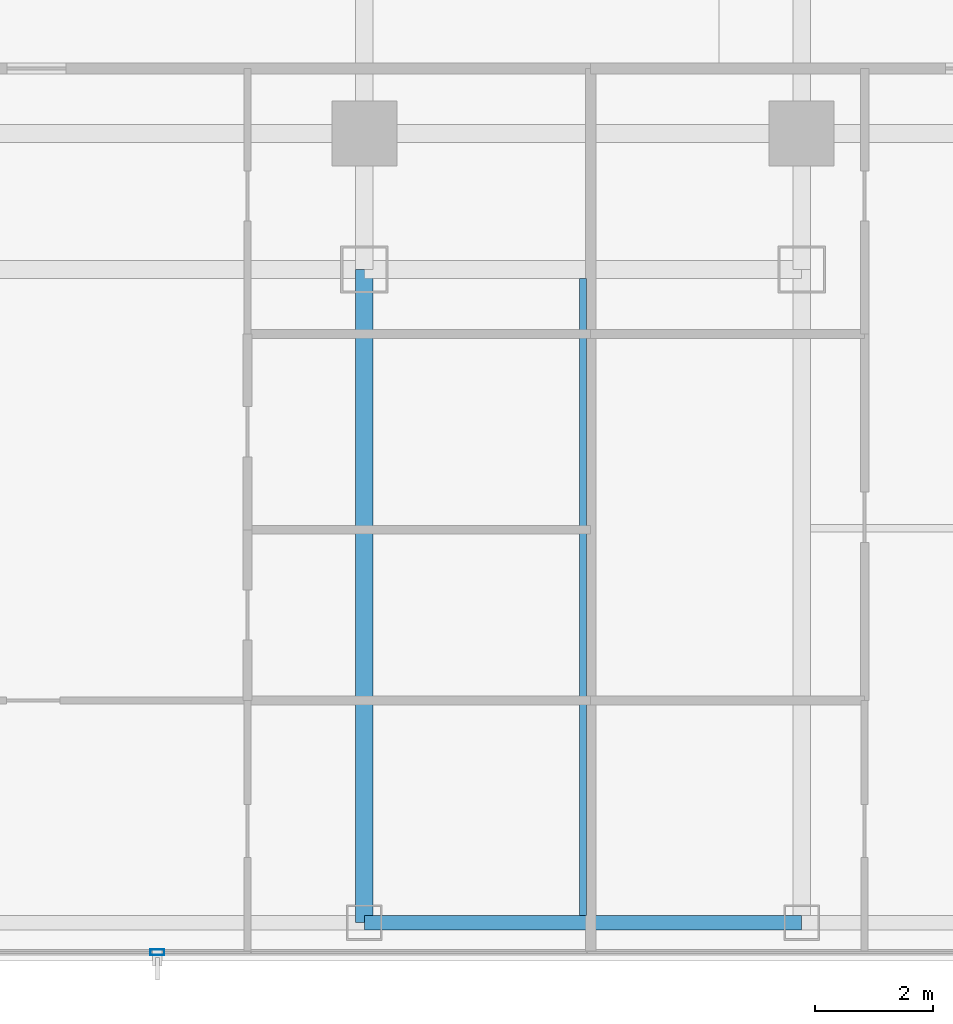
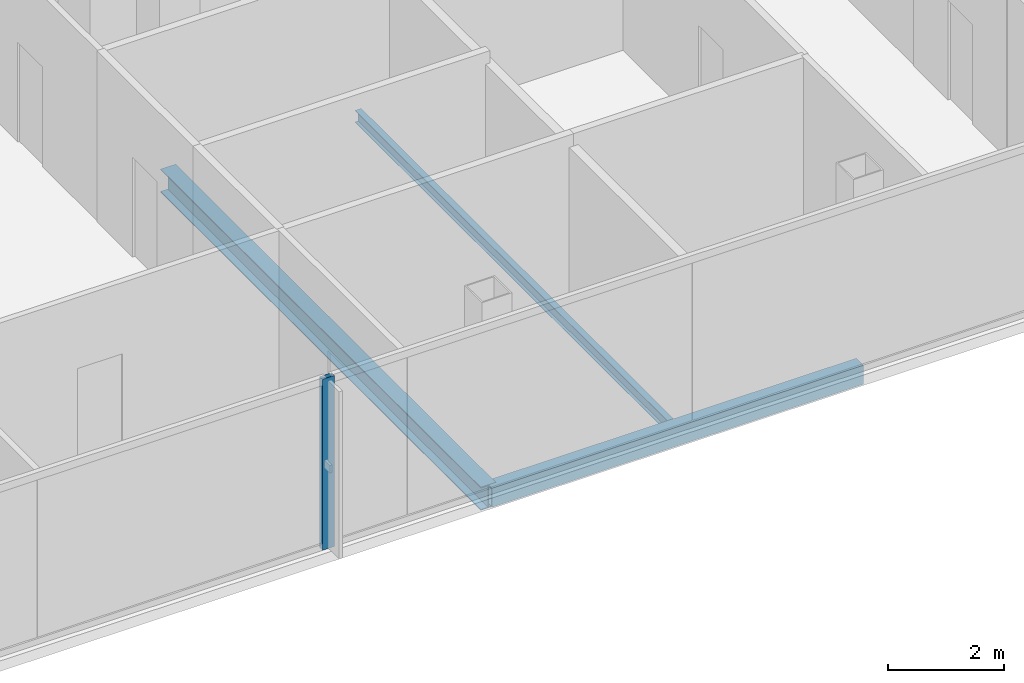
# One storey, part 4 of 27: 3 beams, 1 member, 1 element without a shape of its own.
"""IFC4 building model written with IfcOpenShell, lengths in metres."""

import ifcopenshell
import ifcopenshell.guid

model = None  # the IFC model being written
_history = None  # IfcOwnerHistory: only IFC2X3 demands one
_inside = {}  # id of a spatial element -> (the spatial element, [elements in it])
_under = {}  # id of a project, library or spatial element -> (it, [spatial elements below it])
_declared = {}  # id of a project -> (the project, [libraries it declares])
_typed = {}  # id of a type object -> (the type object, [elements of that type])
_made_of = {}  # id of a material, layer set ... -> (it, [elements and type objects made of it])


def new_model(schema):
    """Start an empty IFC model of exactly this schema.

    Asked for "IFC4X3", IfcOpenShell would pick the latest addendum, in which some entities
    have other attributes; the version numbers below select the first issue.
    IFC2X3 requires an IfcOwnerHistory on every rooted entity: one is made here for all.
    """
    global model, _history
    if schema == "IFC4X3":
        model = ifcopenshell.file(schema_version=(4, 3, 0, 0))
    else:
        model = ifcopenshell.file(schema=schema)
    _inside.clear()
    _under.clear()
    _declared.clear()
    _typed.clear()
    _made_of.clear()
    _history = None
    if model.schema == "IFC2X3":
        org = make("IfcOrganization", Name="unknown")
        user = make(
            "IfcPersonAndOrganization",
            ThePerson=make("IfcPerson", FamilyName="unknown"),
            TheOrganization=org,
        )
        app = make(
            "IfcApplication",
            ApplicationDeveloper=org,
            Version="unknown",
            ApplicationFullName="unknown",
            ApplicationIdentifier="unknown",
        )
        _history = make(
            "IfcOwnerHistory",
            OwningUser=user,
            OwningApplication=app,
            ChangeAction="ADDED",
            CreationDate=0,
        )
    return model


def make(cls, **values):
    """One entity of the class cls with the attributes given. An attribute that is None is left unset."""
    return model.create_entity(
        cls, **{name: value for name, value in values.items() if value is not None}
    )


def rooted(cls, **values):
    """An entity with a GlobalId (a new one), such as an element, a storey or a relation."""
    return make(cls, GlobalId=ifcopenshell.guid.new(), OwnerHistory=_history, **values)


def si_unit(unit_type, name, prefix=None):
    """IfcSIUnit, for example si_unit("LENGTHUNIT", "METRE", prefix="MILLI")."""
    return make("IfcSIUnit", UnitType=unit_type, Prefix=prefix, Name=name)


def assignment(units):
    """IfcUnitAssignment: the units of a project."""
    return None if units is None else make("IfcUnitAssignment", Units=units)


def point(xyz):
    """IfcCartesianPoint."""
    return None if xyz is None else make("IfcCartesianPoint", Coordinates=xyz)


def direction(xyz):
    """IfcDirection."""
    return None if xyz is None else make("IfcDirection", DirectionRatios=xyz)


def frame(location, z_axis=None, x_axis=None):
    """IfcAxis2Placement3D, a coordinate frame: its origin and axes. An axis left out is left unset."""
    return make(
        "IfcAxis2Placement3D",
        Location=point(location),
        Axis=direction(z_axis),
        RefDirection=direction(x_axis),
    )


def frame_2d(location, x_axis=None):
    """IfcAxis2Placement2D, a coordinate frame in the plane: its origin and x axis."""
    return make(
        "IfcAxis2Placement2D", Location=point(location), RefDirection=direction(x_axis)
    )


def origin():
    """The frame at (0, 0, 0) with its axes left unset."""
    return frame((0.0, 0.0, 0.0))


def origin_2d():
    """The frame at (0, 0) in the plane with its x axis left unset."""
    return frame_2d((0.0, 0.0))


def place(relative_to, where):
    """IfcLocalPlacement: puts the frame where relative to a parent placement (None: the world)."""
    return make(
        "IfcLocalPlacement", PlacementRelTo=relative_to, RelativePlacement=where
    )


def context(
    kind, dimensions, precision=None, world=None, true_north=None, identifier=None
):
    """IfcGeometricRepresentationContext, for example the 3D "Model" context."""
    return make(
        "IfcGeometricRepresentationContext",
        ContextIdentifier=identifier,
        ContextType=kind,
        CoordinateSpaceDimension=dimensions,
        Precision=precision,
        WorldCoordinateSystem=world,
        TrueNorth=true_north,
    )


def subcontext(parent, identifier, kind, view, scale=None):
    """IfcGeometricRepresentationSubContext, for example "Body" below "Model"."""
    return make(
        "IfcGeometricRepresentationSubContext",
        ContextIdentifier=identifier,
        ContextType=kind,
        ParentContext=parent,
        TargetScale=scale,
        TargetView=view,
    )


def project(units=None, contexts=None):
    """IfcProject with its units and contexts."""
    return rooted(
        "IfcProject",
        Name="project",
        RepresentationContexts=contexts,
        UnitsInContext=assignment(units),
    )


def spatial(cls, under=None, at=None, **own):
    """A site, building, storey or space (cls), placed at a placement, below another one or the project."""
    s = rooted(cls, ObjectPlacement=at, **own)
    if under is not None:
        _under.setdefault(under.id(), (under, []))[1].append(s)
    return s


def profile(cls, at=None, kind="AREA", **sizes):
    """A parametric profile (cls). Its sizes go by their IFC names, for example OverallWidth=200.0."""
    return make(cls, ProfileType=kind, Position=at, **sizes)


def hollow_rectangle(**sizes):
    """IfcRectangleHollowProfileDef."""
    return profile("IfcRectangleHollowProfileDef", **sizes)


def i_section(**sizes):
    """IfcIShapeProfileDef."""
    return profile("IfcIShapeProfileDef", **sizes)


def extrude(swept, where, along, depth):
    """IfcExtrudedAreaSolid: the profile swept, set in the frame where, extruded along a direction by depth."""
    return make(
        "IfcExtrudedAreaSolid",
        SweptArea=swept,
        Position=where,
        ExtrudedDirection=direction(along),
        Depth=depth,
    )


def shape(context_of_items, identifier, shape_type, items):
    """IfcShapeRepresentation: the items that make up one representation, for example the "Body"."""
    return make(
        "IfcShapeRepresentation",
        ContextOfItems=context_of_items,
        RepresentationIdentifier=identifier,
        RepresentationType=shape_type,
        Items=items,
    )


def material(Name=None, Category=None):
    """IfcMaterial."""
    return make("IfcMaterial", Name=Name, Category=Category)


def layer(
    of_material, thickness, ventilated=None, Name=None, Category=None, Priority=None
):
    """IfcMaterialLayer: one layer of a wall or slab, of a material (None: an air gap)."""
    return make(
        "IfcMaterialLayer",
        Material=of_material,
        LayerThickness=thickness,
        IsVentilated=ventilated,
        Name=Name,
        Category=Category,
        Priority=Priority,
    )


def layer_set(layers, Name=None):
    """IfcMaterialLayerSet."""
    return make("IfcMaterialLayerSet", MaterialLayers=layers, LayerSetName=Name)


def material_profile(
    of_material, cross_section, Name=None, Category=None, Priority=None
):
    """IfcMaterialProfile: a cross section and its material."""
    return make(
        "IfcMaterialProfile",
        Name=Name,
        Material=of_material,
        Profile=cross_section,
        Priority=Priority,
        Category=Category,
    )


def profile_set(profiles, Name=None, composite=None):
    """IfcMaterialProfileSet."""
    return make(
        "IfcMaterialProfileSet",
        Name=Name,
        MaterialProfiles=profiles,
        CompositeProfile=composite,
    )


def made_of(thing, what):
    """Note that an element or type object is made of a material, layer set ...; save() writes the relation."""
    if what is not None:
        _made_of.setdefault(what.id(), (what, []))[1].append(thing)
    return thing


def type_object(cls, material=None, **own):
    """A type object (cls), such as IfcWallType, which elements share."""
    return made_of(rooted(cls, **own), material)


def element(
    cls,
    number,
    at=None,
    inside=None,
    cuts=None,
    type_object=None,
    material=None,
    context=None,
    identifier="Body",
    shape_type=None,
    held_by="IfcProductDefinitionShape",
    body=None,
    shapes=None,
    **own,
):
    """One element of the class cls, such as IfcWall. Its Tag is "e" and its number.

    at: its placement. inside: the storey or other place that contains it. cuts: it is an
    opening in that element (IfcRelVoidsElement). A single representation is given by context,
    identifier, shape_type and body (its items); several are given by shapes. held_by: the class
    of the entity that holds the representations. save() writes the other relations.
    """
    e = rooted(cls, Tag="e%d" % number, ObjectPlacement=at, **own)
    if body is not None:
        shapes = [shape(context, identifier, shape_type, body)]
    if shapes is not None:
        e.Representation = make(held_by, Representations=shapes)
    if inside is not None:
        _inside.setdefault(inside.id(), (inside, []))[1].append(e)
    if cuts is not None:
        rooted(
            "IfcRelVoidsElement", RelatingBuildingElement=cuts, RelatedOpeningElement=e
        )
    if type_object is not None:
        _typed.setdefault(type_object.id(), (type_object, []))[1].append(e)
    return made_of(e, material)


def aggregate(whole, parts):
    """IfcRelAggregates: a whole, such as a stair, and the parts it consists of."""
    return rooted("IfcRelAggregates", RelatingObject=whole, RelatedObjects=parts)


def save(model, path):
    """Write the relations noted so far, then the file.

    IfcRelAggregates (storeys below a building ...), IfcRelContainedInSpatialStructure (elements
    in a storey), IfcRelDefinesByType, IfcRelAssociatesMaterial and IfcRelDeclares: one each for
    every whole, place, type object, material and project.
    """
    for whole, parts in _under.values():
        aggregate(whole, parts)
    for where, things in _inside.values():
        rooted(
            "IfcRelContainedInSpatialStructure",
            RelatedElements=things,
            RelatingStructure=where,
        )
    for kind, things in _typed.values():
        rooted("IfcRelDefinesByType", RelatedObjects=things, RelatingType=kind)
    for what, things in _made_of.values():
        rooted("IfcRelAssociatesMaterial", RelatedObjects=things, RelatingMaterial=what)
    for by, libraries in _declared.values():
        rooted("IfcRelDeclares", RelatingContext=by, RelatedDefinitions=libraries)
    model.write(path)


model = new_model("IFC4")

# Units and contexts
model_context = context("Model", 3, precision=1e-05, world=origin(), true_north=direction((0.0, 1.0)))
body_context = subcontext(model_context, "Body", "Model", "MODEL_VIEW")
ifc_project = project(units=[si_unit("LENGTHUNIT", "METRE"), si_unit("AREAUNIT", "SQUARE_METRE"), si_unit("VOLUMEUNIT", "CUBIC_METRE"), si_unit("PLANEANGLEUNIT", "RADIAN"), si_unit("MASSUNIT", "GRAM", prefix="KILO")], contexts=[model_context])

# Site, building, storey
site_placement = place(None, origin())
site = spatial("IfcSite", under=ifc_project, at=site_placement, CompositionType="ELEMENT")
building_placement = place(site_placement, origin())
building = spatial("IfcBuilding", under=site, at=building_placement, Name="Khorvyn Point Tower", CompositionType="ELEMENT")
storey_placement = place(building_placement, frame((0.0, 0.0, 231.300048828125)))
storey = spatial("IfcBuildingStorey", under=building, at=storey_placement, Name="L57", CompositionType="ELEMENT", Elevation=231.300048828125)

# Curtain wall, member
ifc_material_1 = material(Name="Anodised aluminium 6063-T6 and laminated Low-E glass", Category="aluminium")
ifc_layer = layer(ifc_material_1, 0.18994140625)
ifc_layer_set = layer_set([ifc_layer], Name="Stick-Built Acoustic Curtain Wall CW-SYS-03")
curtain_wall_type = type_object("IfcCurtainWallType", Name="Stick-Built Acoustic Curtain Wall CW-SYS-03", PredefinedType="NOTDEFINED", material=ifc_layer_set)
curtain_wall_placement = place(storey_placement, origin())
curtain_wall = element("IfcCurtainWall", 1, at=curtain_wall_placement, inside=storey, type_object=curtain_wall_type, Name="Curtain Wall", PredefinedType="NOTDEFINED")
ifc_material_2 = material(Name="Anodised aluminium 6063-T6", Category="aluminium")
ifc_material_profile_1 = material_profile(ifc_material_2, hollow_rectangle(XDim=0.10009765625, YDim=0.239990234375, WallThickness=0.0048828125, at=origin_2d()))
ifc_profile_set_1 = profile_set([ifc_material_profile_1], Name="Anodised aluminium 6063-T6 ALU-MUL-100x240")
member_type = type_object("IfcMemberType", Name="Anodised Aluminium 6063-T6 Mullion ALU-MUL-100x240", PredefinedType="MULLION", material=ifc_profile_set_1)
member_placement = place(storey_placement, frame((3.89990234375, -28.64990234375, 0.0), z_axis=(0.0, 0.0, 1.0), x_axis=(0.0, -1.0, 0.0)))
member = element("IfcMember", 2, at=member_placement, type_object=member_type, Name="Transom", PredefinedType="MULLION", context=body_context, shape_type="SweptSolid", body=[
    extrude(hollow_rectangle(XDim=0.10009765625, YDim=0.239990234375, WallThickness=0.0048828125, at=origin_2d()), origin(), (0.0, 0.0, 1.0), 3.599853515625),
])
aggregate(curtain_wall, [member])

# Beams
ifc_material_3 = material(Name="Steel S355", Category="steel")
ifc_material_profile_2 = material_profile(ifc_material_3, i_section(OverallWidth=0.125, OverallDepth=0.25, WebThickness=0.006103515625, FlangeThickness=0.009033203125, at=origin_2d()))
ifc_profile_set_2 = profile_set([ifc_material_profile_2], Name="Steel S355 H250x125x6x9")
beam_type_1 = type_object("IfcBeamType", Name="Steel S355 Joist H250x125x6x9", PredefinedType="JOIST", material=ifc_profile_set_2)
beam_1_placement = place(storey_placement, frame((11.10009765625, -28.02490234375, -0.344970703125), z_axis=(0.0, 1.0, 0.0), x_axis=(-1.0, 0.0, 0.0)))
element("IfcBeam", 3, at=beam_1_placement, inside=storey, type_object=beam_type_1, Name="Beam", PredefinedType="JOIST", context=body_context, shape_type="SweptSolid", body=[
    extrude(i_section(OverallWidth=0.125, OverallDepth=0.25, WebThickness=0.006103515625, FlangeThickness=0.009033203125, at=origin_2d()), origin(), (0.0, 0.0, 1.0), 10.77490234375),
])
ifc_material_profile_3 = material_profile(ifc_material_3, i_section(OverallWidth=0.300048828125, OverallDepth=0.488037109375, WebThickness=0.010986328125, FlangeThickness=0.01806640625, at=origin_2d()))
ifc_profile_set_3 = profile_set([ifc_material_profile_3], Name="Steel S355 H488x300x11x18")
beam_type_2 = type_object("IfcBeamType", Name="Steel S355 Spandrel H488x300x11x18", PredefinedType="SPANDREL", material=ifc_profile_set_3)
beam_2_placement = place(storey_placement, frame((7.39990234375, -28.14990234375, -0.464111328125), z_axis=(0.0, 1.0, 0.0), x_axis=(-1.0, 0.0, 0.0)))
element("IfcBeam", 4, at=beam_2_placement, inside=storey, type_object=beam_type_2, Name="Beam", PredefinedType="SPANDREL", context=body_context, shape_type="SweptSolid", body=[
    extrude(i_section(OverallWidth=0.300048828125, OverallDepth=0.488037109375, WebThickness=0.010986328125, FlangeThickness=0.01806640625, at=origin_2d()), origin(), (0.0, 0.0, 1.0), 11.0498046875),
])
ifc_material_profile_4 = material_profile(ifc_material_3, hollow_rectangle(XDim=0.25, YDim=0.39990234375, WallThickness=0.01611328125, at=origin_2d()))
ifc_profile_set_4 = profile_set([ifc_material_profile_4], Name="Steel S355 RHS400x250x16")
beam_type_3 = type_object("IfcBeamType", Name="Steel S355 Spandrel RHS400x250x16", PredefinedType="SPANDREL", material=ifc_profile_set_4)
beam_3_placement = place(storey_placement, frame((7.39990234375, -28.14990234375, -0.420166015625), z_axis=(1.0, 0.0, 0.0), x_axis=(0.0, 1.0, 0.0)))
element("IfcBeam", 5, at=beam_3_placement, inside=storey, type_object=beam_type_3, Name="Beam", PredefinedType="SPANDREL", context=body_context, shape_type="SweptSolid", body=[
    extrude(hollow_rectangle(XDim=0.25, YDim=0.39990234375, WallThickness=0.01611328125, at=origin_2d()), origin(), (0.0, 0.0, 1.0), 7.400146484375),
])

save(model, "model.ifc")
